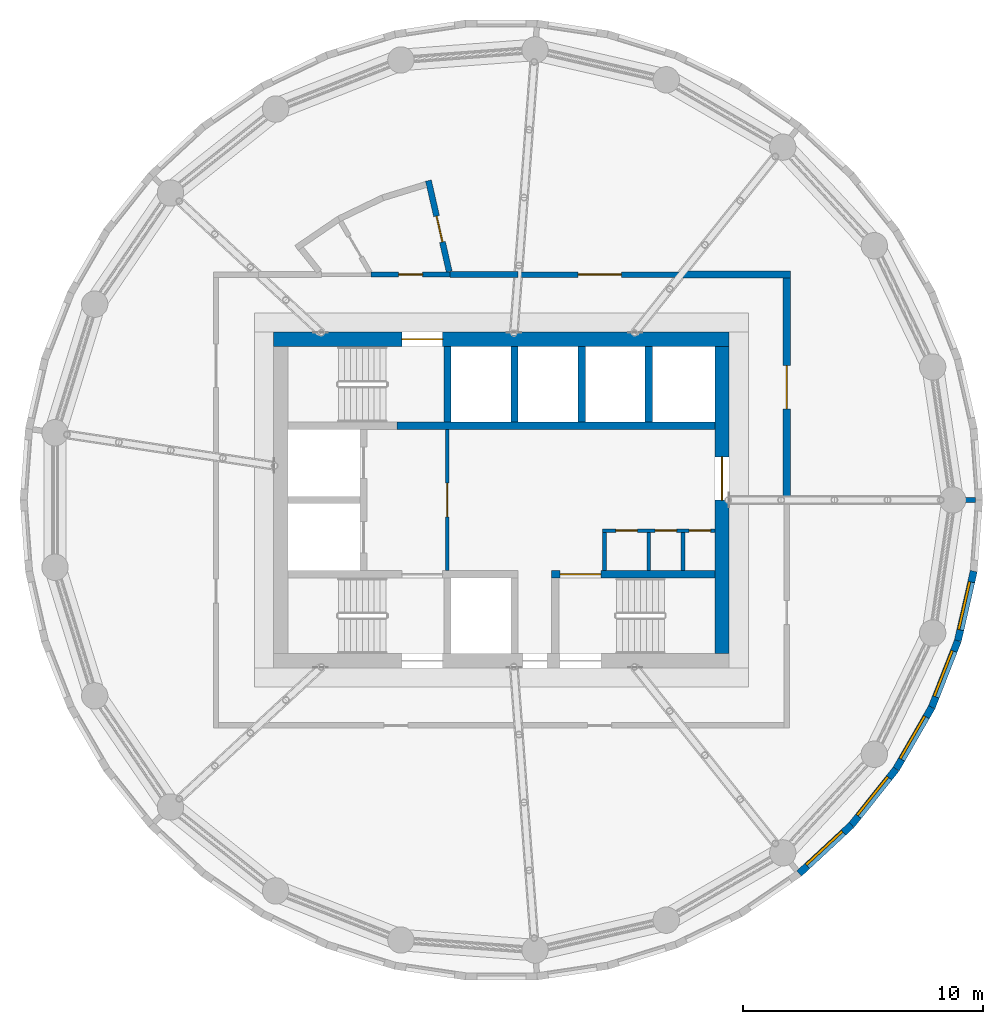
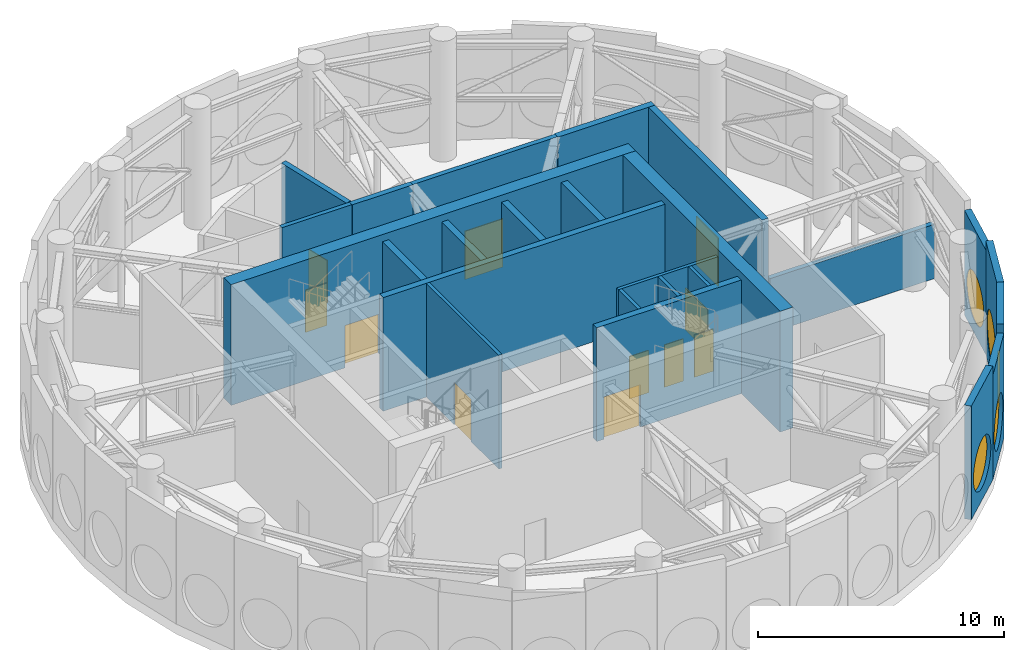
# One storey, part 9 of 13: 25 walls, 11 doors, 5 windows, 16 openings.
"""IFC4 building model written with IfcOpenShell, lengths in metres."""

from ifc_helpers import new_model, si_unit, direction, frame, frame_2d, origin, origin_2d, place, context, subcontext, project, spatial, rectangle, circle, extrude, material, layer, layer_set, type_object, element, fill, save


model = new_model("IFC4")

# Units and contexts
model_context = context("Model", 3, precision=1e-05, world=origin(), true_north=direction((0.0, 1.0)))
body_context = subcontext(model_context, "Body", "Model", "MODEL_VIEW")
ifc_project = project(units=[si_unit("LENGTHUNIT", "METRE"), si_unit("AREAUNIT", "SQUARE_METRE"), si_unit("VOLUMEUNIT", "CUBIC_METRE"), si_unit("PLANEANGLEUNIT", "RADIAN"), si_unit("MASSUNIT", "GRAM", prefix="KILO")], contexts=[model_context])

# Site, building, storey
site_placement = place(None, origin())
site = spatial("IfcSite", under=ifc_project, at=site_placement, CompositionType="ELEMENT")
building_placement = place(site_placement, origin())
building = spatial("IfcBuilding", under=site, at=building_placement, Name="Tracery Tower", CompositionType="ELEMENT")
storey_placement = place(building_placement, frame((0.0, 0.0, 277.800048828125)))
storey = spatial("IfcBuildingStorey", under=building, at=storey_placement, Name="L72 Plant", CompositionType="ELEMENT", Elevation=277.800048828125)

# Wall, opening, door
ifc_material_1 = material(Name="Plasterboard on steel studs", Category="steel")
ifc_layer_1 = layer(ifc_material_1, 0.14990234375)
ifc_layer_set_1 = layer_set([ifc_layer_1], Name="Core lobby partition 150")
wall_type_1 = type_object("IfcWallType", Name="Core lobby partition 150", PredefinedType="SOLIDWALL", material=ifc_layer_set_1)
wall_1_placement = place(storey_placement, frame((-2.25, -2.949951171875, 0.0), z_axis=(0.0, 0.0, 1.0), x_axis=(0.0, 1.0, 0.0)))
wall_1 = element("IfcWall", 1, at=wall_1_placement, inside=storey, type_object=wall_type_1, Name="L72 Plant FF lobby E", PredefinedType="SOLIDWALL", context=body_context, shape_type="SweptSolid", body=[
    extrude(rectangle(XDim=5.89990234375, YDim=0.14990234375, at=frame_2d((2.949951171875, 0.0))), origin(), (0.0, 0.0, 1.0), 5.64990234375),
])
opening_1_placement = place(wall_1_placement, frame((2.25, 0.0, 0.0)))
opening_1 = element("IfcOpeningElement", 2, at=opening_1_placement, cuts=wall_1, Name="Opening KD8", PredefinedType="OPENING", context=body_context, shape_type="SweptSolid", body=[
    extrude(rectangle(XDim=1.39990234375, YDim=2.10009765625, at=frame_2d((0.699951171875, 1.050048828125))), frame((0.0, 0.074951171875, 0.0), z_axis=(0.0, -1.0, 0.0), x_axis=(1.0, 0.0, 0.0)), (0.0, 0.0, 1.0), 0.14990234375),
])
ifc_material_2 = material(Name="Steel fire door", Category="steel")
door_type_1 = type_object("IfcDoorType", Name="Core lobby door 1400 double", OperationType="NOTDEFINED", PredefinedType="DOOR", material=ifc_material_2)
door_1_placement = place(opening_1_placement, origin())
door_1 = element("IfcDoor", 3, at=door_1_placement, inside=storey, type_object=door_type_1, Name="Fire-fighting lobby door", OperationType="DOUBLE_DOOR_SINGLE_SWING", OverallHeight=2.10009765625, OverallWidth=1.39990234375, PredefinedType="DOOR", context=body_context, shape_type="SweptSolid", body=[
    extrude(rectangle(XDim=1.39990234375, YDim=2.10009765625, at=frame_2d((0.699951171875, 1.050048828125))), frame((0.0, 0.02490234375, 0.0), z_axis=(0.0, -1.0, 0.0), x_axis=(1.0, 0.0, 0.0)), (0.0, 0.0, 1.0), 0.050048828125),
])
fill(opening_1, door_1)

# Wall
ifc_material_3 = material(Name="Plasterboard on steel studs", Category="steel")
ifc_layer_2 = layer(ifc_material_3, 0.14990234375)
ifc_layer_set_2 = layer_set([ifc_layer_2], Name="Core room partition 150")
wall_type_2 = type_object("IfcWallType", Name="Core room partition 150", PredefinedType="SOLIDWALL", material=ifc_layer_set_2)
wall_2_placement = place(storey_placement, frame((4.300048828125, -2.949951171875, 0.0), z_axis=(0.0, 0.0, 1.0), x_axis=(0.0, 1.0, 0.0)))
element("IfcWall", 4, at=wall_2_placement, inside=storey, type_object=wall_type_2, Name="L72 Plant slot W", PredefinedType="SOLIDWALL", context=body_context, shape_type="SweptSolid", body=[
    extrude(rectangle(XDim=1.599853515625, YDim=0.14990234375, at=frame_2d((0.7998046875, 0.0))), origin(), (0.0, 0.0, 1.0), 5.64990234375),
])

# Wall, openings, doors
wall_3_placement = place(storey_placement, frame((4.22509765625, -1.27490234375, 0.0), z_axis=(0.0, 0.0, 1.0), x_axis=(1.0, 0.0, 0.0)))
wall_3 = element("IfcWall", 5, at=wall_3_placement, inside=storey, type_object=wall_type_2, Name="L72 Plant slot N", PredefinedType="SOLIDWALL", context=body_context, shape_type="SweptSolid", body=[
    extrude(rectangle(XDim=4.6748046875, YDim=0.14990234375, at=frame_2d((2.33740234375, 0.0))), origin(), (0.0, 0.0, 1.0), 5.64990234375),
])
opening_2_placement = place(wall_3_placement, frame((0.550048828125, 0.0, 0.0)))
opening_2 = element("IfcOpeningElement", 6, at=opening_2_placement, cuts=wall_3, Name="Opening KD37", PredefinedType="OPENING", context=body_context, shape_type="SweptSolid", body=[
    extrude(rectangle(XDim=0.89990234375, YDim=2.10009765625, at=frame_2d((0.449951171875, 1.050048828125))), frame((0.0, 0.074951171875, 0.0), z_axis=(0.0, -1.0, 0.0), x_axis=(1.0, 0.0, 0.0)), (0.0, 0.0, 1.0), 0.14990234375),
])
opening_3_placement = place(wall_3_placement, frame((2.1875, 0.0, 0.0)))
opening_3 = element("IfcOpeningElement", 7, at=opening_3_placement, cuts=wall_3, Name="Opening KD36", PredefinedType="OPENING", context=body_context, shape_type="SweptSolid", body=[
    extrude(rectangle(XDim=0.89990234375, YDim=2.10009765625, at=frame_2d((0.449951171875, 1.050048828125))), frame((0.0, 0.074951171875, 0.0), z_axis=(0.0, -1.0, 0.0), x_axis=(1.0, 0.0, 0.0)), (0.0, 0.0, 1.0), 0.14990234375),
])
opening_4_placement = place(wall_3_placement, frame((3.60009765625, 0.0, 0.0)))
opening_4 = element("IfcOpeningElement", 8, at=opening_4_placement, cuts=wall_3, Name="Opening KD37", PredefinedType="OPENING", context=body_context, shape_type="SweptSolid", body=[
    extrude(rectangle(XDim=0.89990234375, YDim=2.10009765625, at=frame_2d((0.449951171875, 1.050048828125))), frame((0.0, 0.074951171875, 0.0), z_axis=(0.0, -1.0, 0.0), x_axis=(1.0, 0.0, 0.0)), (0.0, 0.0, 1.0), 0.14990234375),
])
ifc_material_4 = material(Name="Steel fire door", Category="steel")
door_type_2 = type_object("IfcDoorType", Name="Core plant door 900", OperationType="NOTDEFINED", PredefinedType="DOOR", material=ifc_material_4)
door_2_placement = place(opening_2_placement, origin())
door_2 = element("IfcDoor", 9, at=door_2_placement, inside=storey, type_object=door_type_2, Name="Core door", OperationType="SINGLE_SWING_RIGHT", OverallHeight=2.10009765625, OverallWidth=0.89990234375, PredefinedType="DOOR", context=body_context, shape_type="SweptSolid", body=[
    extrude(rectangle(XDim=0.89990234375, YDim=2.10009765625, at=frame_2d((0.449951171875, 1.050048828125))), frame((0.0, 0.02490234375, 0.0), z_axis=(0.0, -1.0, 0.0), x_axis=(1.0, 0.0, 0.0)), (0.0, 0.0, 1.0), 0.050048828125),
])
fill(opening_2, door_2)
door_3_placement = place(opening_3_placement, origin())
door_3 = element("IfcDoor", 10, at=door_3_placement, inside=storey, type_object=door_type_2, Name="Core door", OperationType="SINGLE_SWING_LEFT", OverallHeight=2.10009765625, OverallWidth=0.89990234375, PredefinedType="DOOR", context=body_context, shape_type="SweptSolid", body=[
    extrude(rectangle(XDim=0.89990234375, YDim=2.10009765625, at=frame_2d((0.449951171875, 1.050048828125))), frame((0.0, 0.02490234375, 0.0), z_axis=(0.0, -1.0, 0.0), x_axis=(1.0, 0.0, 0.0)), (0.0, 0.0, 1.0), 0.050048828125),
])
fill(opening_3, door_3)
door_4_placement = place(opening_4_placement, origin())
door_4 = element("IfcDoor", 11, at=door_4_placement, inside=storey, type_object=door_type_2, Name="Core door", OperationType="SINGLE_SWING_RIGHT", OverallHeight=2.10009765625, OverallWidth=0.89990234375, PredefinedType="DOOR", context=body_context, shape_type="SweptSolid", body=[
    extrude(rectangle(XDim=0.89990234375, YDim=2.10009765625, at=frame_2d((0.449951171875, 1.050048828125))), frame((0.0, 0.02490234375, 0.0), z_axis=(0.0, -1.0, 0.0), x_axis=(1.0, 0.0, 0.0)), (0.0, 0.0, 1.0), 0.050048828125),
])
fill(opening_4, door_4)

# Walls
for number, where, z_axis, x_axis, name in (
    (12, (6.14990234375, -2.949951171875, 0.0), (0.0, 0.0, 1.0), (0.0, 1.0, 0.0), "L72 Plant slot sep 1"),
    (13, (7.574951171875, -2.949951171875, 0.0), (0.0, 0.0, 1.0), (0.0, 1.0, 0.0), "L72 Plant slot sep 2"),
):
    element("IfcWall", number, at=place(storey_placement, frame(where, z_axis=z_axis, x_axis=x_axis)), inside=storey, type_object=wall_type_2, Name=name, PredefinedType="SOLIDWALL", context=body_context, shape_type="SweptSolid", body=[
        extrude(rectangle(XDim=1.599853515625, YDim=0.14990234375, at=frame_2d((0.7998046875, 0.0))), origin(), (0.0, 0.0, 1.0), 5.64990234375),
    ])

# Wall, opening, door
ifc_material_5 = material(Name="Concrete C40/50", Category="concrete")
ifc_layer_3 = layer(ifc_material_5, 0.60009765625)
ifc_layer_set_3 = layer_set([ifc_layer_3], Name="Core wall 600 C40")
wall_type_3 = type_object("IfcWallType", Name="Core wall 600 C40", PredefinedType="SOLIDWALL", material=ifc_layer_set_3)
wall_4_placement = place(storey_placement, frame((-9.5, 6.699951171875, 0.0), z_axis=(0.0, 0.0, 1.0), x_axis=(1.0, 0.0, 0.0)))
wall_4 = element("IfcWall", 14, at=wall_4_placement, inside=storey, type_object=wall_type_3, Name="L72 Plant outer N", PredefinedType="SOLIDWALL", context=body_context, shape_type="SweptSolid", body=[
    extrude(rectangle(XDim=19.0, YDim=0.60009765625, at=frame_2d((9.5, 0.0))), origin(), (0.0, 0.0, 1.0), 6.0),
])
opening_5_placement = place(wall_4_placement, frame((5.35009765625, 0.0, 0.0)))
opening_5 = element("IfcOpeningElement", 15, at=opening_5_placement, cuts=wall_4, Name="Opening KD3", PredefinedType="OPENING", context=body_context, shape_type="SweptSolid", body=[
    extrude(rectangle(XDim=1.699951171875, YDim=2.10009765625, at=frame_2d((0.85009765625, 1.050048828125))), frame((0.0, 0.300048828125, 0.0), z_axis=(0.0, -1.0, 0.0), x_axis=(1.0, 0.0, 0.0)), (0.0, 0.0, 1.0), 0.60009765625),
])
ifc_material_6 = material(Name="Steel fire door", Category="steel")
door_type_3 = type_object("IfcDoorType", Name="Core stair door 1700 double", OperationType="NOTDEFINED", PredefinedType="DOOR", material=ifc_material_6)
door_5_placement = place(opening_5_placement, origin())
door_5 = element("IfcDoor", 16, at=door_5_placement, inside=storey, type_object=door_type_3, Name="Stair door ST3 exit", OperationType="DOUBLE_DOOR_SINGLE_SWING", OverallHeight=2.10009765625, OverallWidth=1.699951171875, PredefinedType="DOOR", context=body_context, shape_type="SweptSolid", body=[
    extrude(rectangle(XDim=1.699951171875, YDim=2.10009765625, at=frame_2d((0.85009765625, 1.050048828125))), frame((0.0, 0.02490234375, 0.0), z_axis=(0.0, -1.0, 0.0), x_axis=(1.0, 0.0, 0.0)), (0.0, 0.0, 1.0), 0.050048828125),
])
fill(opening_5, door_5)

wall_5_placement = place(storey_placement, frame((9.199951171875, -6.39990234375, 0.0), z_axis=(0.0, 0.0, 1.0), x_axis=(0.0, 1.0, 0.0)))
wall_5 = element("IfcWall", 17, at=wall_5_placement, inside=storey, type_object=wall_type_3, Name="L72 Plant outer E", PredefinedType="SOLIDWALL", context=body_context, shape_type="SweptSolid", body=[
    extrude(rectangle(XDim=12.7998046875, YDim=0.60009765625, at=frame_2d((6.39990234375, 0.0))), origin(), (0.0, 0.0, 1.0), 6.0),
])
opening_6_placement = place(wall_5_placement, frame((6.39990234375, 0.0, 0.0)))
opening_6 = element("IfcOpeningElement", 18, at=opening_6_placement, cuts=wall_5, Name="Opening KD13", PredefinedType="OPENING", context=body_context, shape_type="SweptSolid", body=[
    extrude(rectangle(XDim=1.800048828125, YDim=2.10009765625, at=frame_2d((0.89990234375, 1.050048828125))), frame((0.0, 0.300048828125, 0.0), z_axis=(0.0, -1.0, 0.0), x_axis=(1.0, 0.0, 0.0)), (0.0, 0.0, 1.0), 0.60009765625),
])
ifc_material_7 = material(Name="Steel fire door", Category="steel")
door_type_4 = type_object("IfcDoorType", Name="Core exit door 1800 double", OperationType="NOTDEFINED", PredefinedType="DOOR", material=ifc_material_7)
door_6_placement = place(opening_6_placement, origin())
door_6 = element("IfcDoor", 19, at=door_6_placement, inside=storey, type_object=door_type_4, Name="Core exit door", OperationType="DOUBLE_DOOR_SINGLE_SWING", OverallHeight=2.10009765625, OverallWidth=1.800048828125, PredefinedType="DOOR", context=body_context, shape_type="SweptSolid", body=[
    extrude(rectangle(XDim=1.800048828125, YDim=2.10009765625, at=frame_2d((0.89990234375, 1.050048828125))), frame((0.0, 0.02490234375, 0.0), z_axis=(0.0, -1.0, 0.0), x_axis=(1.0, 0.0, 0.0)), (0.0, 0.0, 1.0), 0.050048828125),
])
fill(opening_6, door_6)

ifc_material_8 = material(Name="Concrete blockwork", Category="masonry")
ifc_layer_4 = layer(ifc_material_8, 0.199951171875)
ifc_layer_set_4 = layer_set([ifc_layer_4], Name="Fire lobby wall 200")
wall_type_4 = type_object("IfcWallType", Name="Fire lobby wall 200", PredefinedType="PARTITIONING", material=ifc_layer_set_4)
wall_6_placement = place(storey_placement, frame((-2.1455078125, 9.39990234375, 0.0), z_axis=(0.0, 0.0, 1.0), x_axis=(-1.0, 0.0, 0.0)))
wall_6 = element("IfcWall", 20, at=wall_6_placement, inside=storey, type_object=wall_type_4, Name="Fire lobby wall 200", PredefinedType="PARTITIONING", context=body_context, shape_type="SweptSolid", body=[
    extrude(rectangle(XDim=3.281494140625, YDim=0.199951171875, at=frame_2d((1.640625, 0.0))), origin(), (0.0, 0.0, 1.0), 5.64990234375),
])
opening_7_placement = place(wall_6_placement, frame((1.140869140625, 0.0, 0.0)))
opening_7 = element("IfcOpeningElement", 21, at=opening_7_placement, cuts=wall_6, Name="Opening SB-P72-08", PredefinedType="OPENING", context=body_context, shape_type="SweptSolid", body=[
    extrude(rectangle(XDim=1.0, YDim=2.10009765625, at=frame_2d((0.5, 1.050048828125))), frame((0.0, 0.10009765625, 0.0), z_axis=(0.0, -1.0, 0.0), x_axis=(1.0, 0.0, 0.0)), (0.0, 0.0, 1.0), 0.199951171875),
])
ifc_material_9 = material(Name="Steel fire door", Category="steel")
door_type_5 = type_object("IfcDoorType", Name="Fire lobby door 1000", OperationType="NOTDEFINED", PredefinedType="DOOR", material=ifc_material_9)
door_7_placement = place(opening_7_placement, origin())
door_7 = element("IfcDoor", 22, at=door_7_placement, inside=storey, type_object=door_type_5, Name="Fire lobby door 1000", OperationType="SINGLE_SWING_LEFT", OverallHeight=2.10009765625, OverallWidth=1.0, PredefinedType="DOOR", context=body_context, shape_type="SweptSolid", body=[
    extrude(rectangle(XDim=1.0, YDim=2.10009765625, at=frame_2d((0.5, 1.050048828125))), frame((0.0, 0.02490234375, 0.0), z_axis=(0.0, -1.0, 0.0), x_axis=(1.0, 0.0, 0.0)), (0.0, 0.0, 1.0), 0.050048828125),
])
fill(opening_7, door_7)

# Wall, opening, window
ifc_material_10 = material(Name="Precast concrete C50/60", Category="concrete")
ifc_layer_5 = layer(ifc_material_10, 0.300048828125)
ifc_layer_set_5 = layer_set([ifc_layer_5], Name="Plant louvre panel 3000 x 5200")
wall_type_5 = type_object("IfcWallType", Name="Plant louvre panel 3000 x 5200", PredefinedType="SOLIDWALL", material=ifc_layer_set_5)
wall_7_placement = place(storey_placement, frame((14.603759765625, -13.55029296875, 0.0), z_axis=(0.0, 0.0, 1.0), x_axis=(0.623494374707, 0.781827835722, 0.0)))
wall_7 = element("IfcWall", 23, at=wall_7_placement, inside=storey, type_object=wall_type_5, Name="Plant louvre panel 38 at L72 Plant", PredefinedType="SOLIDWALL", context=body_context, shape_type="SweptSolid", body=[
    extrude(rectangle(XDim=2.9775390625, YDim=0.300048828125, at=frame_2d((1.48876953125, 0.0))), origin(), (0.0, 0.0, 1.0), 5.199951171875),
])
opening_8_placement = place(wall_7_placement, frame((1.48876953125, 0.0, 1.824951171875)))
opening_8 = element("IfcOpeningElement", 24, at=opening_8_placement, cuts=wall_7, Name="Opening LV2", PredefinedType="OPENING", context=body_context, shape_type="SweptSolid", body=[
    extrude(circle(Radius=1.199951171875, at=origin_2d()), frame((0.0, 0.159912109375, 0.0), z_axis=(0.0, -1.0, 0.0), x_axis=(1.0, 0.0, 0.0)), (0.0, 0.0, 1.0), 0.320068359375),
])
ifc_material_11 = material(Name="Aluminium louvre, bronze anodised", Category="aluminium")
window_type = type_object("IfcWindowType", Name="Louvred oculus 2400, sill 625", PartitioningType="SINGLE_PANEL", PredefinedType="WINDOW", material=ifc_material_11)
window_1_placement = place(opening_8_placement, origin())
window_1 = element("IfcWindow", 25, at=window_1_placement, inside=storey, type_object=window_type, Name="Louvred oculus 38 at L72 Plant", OverallHeight=2.39990234375, OverallWidth=2.39990234375, PartitioningType="SINGLE_PANEL", PredefinedType="WINDOW", context=body_context, shape_type="SweptSolid", body=[
    extrude(circle(Radius=1.199951171875, at=origin_2d()), frame((0.0, 0.1201171875, 0.0), z_axis=(0.0, -1.0, 0.0), x_axis=(1.0, 0.0, 0.0)), (0.0, 0.0, 1.0), 0.10009765625),
])
fill(opening_8, window_1)

wall_8_placement = place(storey_placement, frame((19.03662109375, -5.8720703125, 0.0), z_axis=(0.0, 0.0, 1.0), x_axis=(0.222535358937, 0.974924619662, 0.0)))
wall_8 = element("IfcWall", 26, at=wall_8_placement, inside=storey, type_object=wall_type_5, Name="Plant louvre panel 41 at L72 Plant", PredefinedType="SOLIDWALL", context=body_context, shape_type="SweptSolid", body=[
    extrude(rectangle(XDim=2.9775390625, YDim=0.300048828125, at=frame_2d((1.48876953125, 0.0))), origin(), (0.0, 0.0, 1.0), 5.199951171875),
])
opening_9_placement = place(wall_8_placement, frame((1.48876953125, 0.0, 1.824951171875)))
opening_9 = element("IfcOpeningElement", 27, at=opening_9_placement, cuts=wall_8, Name="Opening LV2", PredefinedType="OPENING", context=body_context, shape_type="SweptSolid", body=[
    extrude(circle(Radius=1.199951171875, at=origin_2d()), frame((0.0, 0.159912109375, 0.0), z_axis=(0.0, -1.0, 0.0), x_axis=(1.0, 0.0, 0.0)), (0.0, 0.0, 1.0), 0.320068359375),
])
window_2_placement = place(opening_9_placement, origin())
window_2 = element("IfcWindow", 28, at=window_2_placement, inside=storey, type_object=window_type, Name="Louvred oculus 41 at L72 Plant", OverallHeight=2.39990234375, OverallWidth=2.39990234375, PartitioningType="SINGLE_PANEL", PredefinedType="WINDOW", context=body_context, shape_type="SweptSolid", body=[
    extrude(circle(Radius=1.199951171875, at=origin_2d()), frame((0.0, 0.1201171875, 0.0), z_axis=(0.0, -1.0, 0.0), x_axis=(1.0, 0.0, 0.0)), (0.0, 0.0, 1.0), 0.10009765625),
])
fill(opening_9, window_2)

ifc_material_12 = material(Name="Precast concrete C50/60", Category="concrete")
ifc_layer_6 = layer(ifc_material_12, 0.300048828125)
ifc_layer_set_6 = layer_set([ifc_layer_6], Name="Plant louvre panel 3000 x 5650")
wall_type_6 = type_object("IfcWallType", Name="Plant louvre panel 3000 x 5650", PredefinedType="SOLIDWALL", material=ifc_layer_set_6)
wall_9_placement = place(storey_placement, frame((12.421142578125, -15.575439453125, 0.0), z_axis=(0.0, 0.0, 1.0), x_axis=(0.733056277766, 0.68016798927, 0.0)))
wall_9 = element("IfcWall", 29, at=wall_9_placement, inside=storey, type_object=wall_type_6, Name="Plant louvre panel 37 at L72 Plant", PredefinedType="SOLIDWALL", context=body_context, shape_type="SweptSolid", body=[
    extrude(rectangle(XDim=2.9775390625, YDim=0.300048828125, at=frame_2d((1.48876953125, 0.0))), origin(), (0.0, 0.0, 1.0), 5.64990234375),
])
opening_10_placement = place(wall_9_placement, frame((1.48876953125, 0.0, 1.824951171875)))
opening_10 = element("IfcOpeningElement", 30, at=opening_10_placement, cuts=wall_9, Name="Opening LV2", PredefinedType="OPENING", context=body_context, shape_type="SweptSolid", body=[
    extrude(circle(Radius=1.199951171875, at=origin_2d()), frame((0.0, 0.159912109375, 0.0), z_axis=(0.0, -1.0, 0.0), x_axis=(1.0, 0.0, 0.0)), (0.0, 0.0, 1.0), 0.320068359375),
])
window_3_placement = place(opening_10_placement, origin())
window_3 = element("IfcWindow", 31, at=window_3_placement, inside=storey, type_object=window_type, Name="Louvred oculus 37 at L72 Plant", OverallHeight=2.39990234375, OverallWidth=2.39990234375, PartitioningType="SINGLE_PANEL", PredefinedType="WINDOW", context=body_context, shape_type="SweptSolid", body=[
    extrude(circle(Radius=1.199951171875, at=origin_2d()), frame((0.0, 0.1201171875, 0.0), z_axis=(0.0, -1.0, 0.0), x_axis=(1.0, 0.0, 0.0)), (0.0, 0.0, 1.0), 0.10009765625),
])
fill(opening_10, window_3)

wall_10_placement = place(storey_placement, frame((16.460205078125, -11.222412109375, 0.0), z_axis=(0.0, 0.0, 1.0), x_axis=(0.500001626982, 0.866024464444, 0.0)))
wall_10 = element("IfcWall", 32, at=wall_10_placement, inside=storey, type_object=wall_type_6, Name="Plant louvre panel 39 at L72 Plant", PredefinedType="SOLIDWALL", context=body_context, shape_type="SweptSolid", body=[
    extrude(rectangle(XDim=2.9775390625, YDim=0.300048828125, at=frame_2d((1.48876953125, 0.0))), origin(), (0.0, 0.0, 1.0), 5.64990234375),
])
opening_11_placement = place(wall_10_placement, frame((1.48876953125, 0.0, 1.824951171875)))
opening_11 = element("IfcOpeningElement", 33, at=opening_11_placement, cuts=wall_10, Name="Opening LV2", PredefinedType="OPENING", context=body_context, shape_type="SweptSolid", body=[
    extrude(circle(Radius=1.199951171875, at=origin_2d()), frame((0.0, 0.159912109375, 0.0), z_axis=(0.0, -1.0, 0.0), x_axis=(1.0, 0.0, 0.0)), (0.0, 0.0, 1.0), 0.320068359375),
])
window_4_placement = place(opening_11_placement, origin())
window_4 = element("IfcWindow", 34, at=window_4_placement, inside=storey, type_object=window_type, Name="Louvred oculus 39 at L72 Plant", OverallHeight=2.39990234375, OverallWidth=2.39990234375, PartitioningType="SINGLE_PANEL", PredefinedType="WINDOW", context=body_context, shape_type="SweptSolid", body=[
    extrude(circle(Radius=1.199951171875, at=origin_2d()), frame((0.0, 0.1201171875, 0.0), z_axis=(0.0, -1.0, 0.0), x_axis=(1.0, 0.0, 0.0)), (0.0, 0.0, 1.0), 0.10009765625),
])
fill(opening_11, window_4)

wall_11_placement = place(storey_placement, frame((17.948974609375, -8.643798828125, 0.0), z_axis=(0.0, 0.0, 1.0), x_axis=(0.365289571566, 0.930893940739, 0.0)))
wall_11 = element("IfcWall", 35, at=wall_11_placement, inside=storey, type_object=wall_type_6, Name="Plant louvre panel 40 at L72 Plant", PredefinedType="SOLIDWALL", context=body_context, shape_type="SweptSolid", body=[
    extrude(rectangle(XDim=2.9775390625, YDim=0.300048828125, at=frame_2d((1.48876953125, 0.0))), origin(), (0.0, 0.0, 1.0), 5.64990234375),
])
opening_12_placement = place(wall_11_placement, frame((1.48876953125, 0.0, 1.824951171875)))
opening_12 = element("IfcOpeningElement", 36, at=opening_12_placement, cuts=wall_11, Name="Opening LV2", PredefinedType="OPENING", context=body_context, shape_type="SweptSolid", body=[
    extrude(circle(Radius=1.199951171875, at=origin_2d()), frame((0.0, 0.159912109375, 0.0), z_axis=(0.0, -1.0, 0.0), x_axis=(1.0, 0.0, 0.0)), (0.0, 0.0, 1.0), 0.320068359375),
])
window_5_placement = place(opening_12_placement, origin())
window_5 = element("IfcWindow", 37, at=window_5_placement, inside=storey, type_object=window_type, Name="Louvred oculus 40 at L72 Plant", OverallHeight=2.39990234375, OverallWidth=2.39990234375, PartitioningType="SINGLE_PANEL", PredefinedType="WINDOW", context=body_context, shape_type="SweptSolid", body=[
    extrude(circle(Radius=1.199951171875, at=origin_2d()), frame((0.0, 0.1201171875, 0.0), z_axis=(0.0, -1.0, 0.0), x_axis=(1.0, 0.0, 0.0)), (0.0, 0.0, 1.0), 0.10009765625),
])
fill(opening_12, window_5)

# Wall, opening, door
ifc_material_13 = material(Name="Concrete blockwork", Category="masonry")
ifc_layer_7 = layer(ifc_material_13, 0.22509765625)
ifc_layer_set_7 = layer_set([ifc_layer_7], Name="Plant room block wall 225")
wall_type_7 = type_object("IfcWallType", Name="Plant room block wall 225", PredefinedType="PARTITIONING", material=ifc_layer_set_7)
wall_12_placement = place(storey_placement, frame((7.49609375, 9.39990234375, 0.0), z_axis=(0.0, 0.0, 1.0), x_axis=(-1.0, 0.0, 0.0)))
wall_12 = element("IfcWall", 38, at=wall_12_placement, inside=storey, type_object=wall_type_7, Name="Plant room block wall 225", PredefinedType="PARTITIONING", context=body_context, shape_type="SweptSolid", body=[
    extrude(rectangle(XDim=6.791748046875, YDim=0.22509765625, at=frame_2d((3.39599609375, 0.0))), origin(), (0.0, 0.0, 1.0), 5.64990234375),
])
opening_13_placement = place(wall_12_placement, frame((2.495849609375, 0.0, 0.0)))
opening_13 = element("IfcOpeningElement", 39, at=opening_13_placement, cuts=wall_12, Name="Opening SB-P72-02", PredefinedType="OPENING", context=body_context, shape_type="SweptSolid", body=[
    extrude(rectangle(XDim=1.800048828125, YDim=2.39990234375, at=frame_2d((0.89990234375, 1.199951171875))), frame((0.0, 0.112548828125, 0.0), z_axis=(0.0, -1.0, 0.0), x_axis=(1.0, 0.0, 0.0)), (0.0, 0.0, 1.0), 0.22509765625),
])
ifc_material_14 = material(Name="Steel fire door", Category="steel")
door_type_6 = type_object("IfcDoorType", Name="Plant room double door 1800", OperationType="DOUBLE_DOOR_SINGLE_SWING", PredefinedType="DOOR", material=ifc_material_14)
door_8_placement = place(opening_13_placement, origin())
door_8 = element("IfcDoor", 40, at=door_8_placement, inside=storey, type_object=door_type_6, Name="Plant room double door 1800", OperationType="DOUBLE_DOOR_SINGLE_SWING", OverallHeight=2.39990234375, OverallWidth=1.800048828125, PredefinedType="DOOR", context=body_context, shape_type="SweptSolid", body=[
    extrude(rectangle(XDim=1.800048828125, YDim=2.39990234375, at=frame_2d((0.89990234375, 1.199951171875))), frame((0.0, 0.02490234375, 0.0), z_axis=(0.0, -1.0, 0.0), x_axis=(1.0, 0.0, 0.0)), (0.0, 0.0, 1.0), 0.050048828125),
])
fill(opening_13, door_8)

# Wall
ifc_material_15 = material(Name="Concrete blockwork", Category="masonry")
ifc_layer_8 = layer(ifc_material_15, 0.22509765625)
ifc_layer_set_8 = layer_set([ifc_layer_8], Name="Plant wall under outrigger truss 225")
wall_type_8 = type_object("IfcWallType", Name="Plant wall under outrigger truss 225", PredefinedType="PARTITIONING", material=ifc_layer_set_8)
wall_13_placement = place(storey_placement, frame((19.771484375, 0.0, 0.0), z_axis=(0.0, 0.0, 1.0), x_axis=(-1.0, 0.0, 0.0)))
element("IfcWall", 41, at=wall_13_placement, inside=storey, type_object=wall_type_8, Name="Plant wall under outrigger truss 225", PredefinedType="PARTITIONING", context=body_context, shape_type="SweptSolid", body=[
    extrude(rectangle(XDim=7.721435546875, YDim=0.22509765625, at=frame_2d((3.86083984375, 0.0))), origin(), (0.0, 0.0, 1.0), 2.699951171875),
])

# Wall, opening, door
ifc_material_16 = material(Name="Concrete blockwork", Category="masonry")
ifc_layer_9 = layer(ifc_material_16, 0.25)
ifc_layer_set_9 = layer_set([ifc_layer_9], Name="Refuge block wall 250")
wall_type_9 = type_object("IfcWallType", Name="Refuge block wall 250", PredefinedType="PARTITIONING", material=ifc_layer_set_9)
wall_14_placement = place(storey_placement, frame((-3.039794921875, 13.318359375, 0.0), z_axis=(0.0, 0.0, 1.0), x_axis=(0.222494269296, -0.974933997833, 0.0)))
wall_14 = element("IfcWall", 42, at=wall_14_placement, inside=storey, type_object=wall_type_9, Name="Refuge block wall 250", PredefinedType="PARTITIONING", context=body_context, shape_type="SweptSolid", body=[
    extrude(rectangle(XDim=3.890869140625, YDim=0.25, at=frame_2d((1.9453125, 0.0))), origin(), (0.0, 0.0, 1.0), 5.64990234375),
])
opening_14_placement = place(wall_14_placement, frame((1.522216796875, 0.0, 0.0)))
opening_14 = element("IfcOpeningElement", 43, at=opening_14_placement, cuts=wall_14, Name="Opening SB-P72-09", PredefinedType="OPENING", context=body_context, shape_type="SweptSolid", body=[
    extrude(rectangle(XDim=1.10009765625, YDim=2.10009765625, at=frame_2d((0.550048828125, 1.050048828125))), frame((0.0, 0.125, 0.0), z_axis=(0.0, -1.0, 0.0), x_axis=(1.0, 0.0, 0.0)), (0.0, 0.0, 1.0), 0.25),
])
ifc_material_17 = material(Name="Steel fire door", Category="steel")
door_type_7 = type_object("IfcDoorType", Name="Refuge door 1100", OperationType="NOTDEFINED", PredefinedType="DOOR", material=ifc_material_17)
door_9_placement = place(opening_14_placement, origin())
door_9 = element("IfcDoor", 44, at=door_9_placement, inside=storey, type_object=door_type_7, Name="Refuge door 1100", OperationType="SINGLE_SWING_LEFT", OverallHeight=2.10009765625, OverallWidth=1.10009765625, PredefinedType="DOOR", context=body_context, shape_type="SweptSolid", body=[
    extrude(rectangle(XDim=1.10009765625, YDim=2.10009765625, at=frame_2d((0.550048828125, 1.050048828125))), frame((0.0, 0.02490234375, 0.0), z_axis=(0.0, -1.0, 0.0), x_axis=(1.0, 0.0, 0.0)), (0.0, 0.0, 1.0), 0.050048828125),
])
fill(opening_14, door_9)

# Walls
wall_15_placement = place(storey_placement, frame((0.704345703125, 9.39990234375, 0.0), z_axis=(0.0, 0.0, 1.0), x_axis=(-1.0, 0.0, 0.0)))
element("IfcWall", 45, at=wall_15_placement, inside=storey, type_object=wall_type_9, Name="Refuge block wall 250", PredefinedType="PARTITIONING", context=body_context, shape_type="SweptSolid", body=[
    extrude(rectangle(XDim=2.849853515625, YDim=0.25, at=frame_2d((1.4248046875, 0.0))), origin(), (0.0, 0.0, 1.0), 5.64990234375),
])
ifc_material_18 = material(Name="Concrete C40/50", Category="concrete")
ifc_layer_10 = layer(ifc_material_18, 0.300048828125)
ifc_layer_set_10 = layer_set([ifc_layer_10], Name="Shaft wall 300 C40")
wall_type_10 = type_object("IfcWallType", Name="Shaft wall 300 C40", PredefinedType="SOLIDWALL", material=ifc_layer_set_10)
for number, where, z_axis, x_axis, name in (
    (46, (0.550048828125, 3.25, 0.0), (0.0, 0.0, 1.0), (0.0, 1.0, 0.0), "L72 Plant HR sep 1"),
    (47, (3.35009765625, 3.25, 0.0), (0.0, 0.0, 1.0), (0.0, 1.0, 0.0), "L72 Plant HR sep 2"),
    (48, (6.14990234375, 3.25, 0.0), (0.0, 0.0, 1.0), (0.0, 1.0, 0.0), "L72 Plant HR sep 3"),
):
    element("IfcWall", number, at=place(storey_placement, frame(where, z_axis=z_axis, x_axis=x_axis)), inside=storey, type_object=wall_type_10, Name=name, PredefinedType="SOLIDWALL", context=body_context, shape_type="SweptSolid", body=[
        extrude(rectangle(XDim=3.14990234375, YDim=0.300048828125, at=frame_2d((1.574951171875, 0.0))), origin(), (0.0, 0.0, 1.0), 5.64990234375),
    ])

# Wall, opening, door
ifc_material_19 = material(Name="Concrete C40/50", Category="concrete")
ifc_layer_11 = layer(ifc_material_19, 0.300048828125)
ifc_layer_set_11 = layer_set([ifc_layer_11], Name="Stair wall 300 C40")
wall_type_11 = type_object("IfcWallType", Name="Stair wall 300 C40", PredefinedType="SOLIDWALL", material=ifc_layer_set_11)
wall_16_placement = place(storey_placement, frame((2.10009765625, -3.10009765625, 0.0), z_axis=(0.0, 0.0, 1.0), x_axis=(1.0, 0.0, 0.0)))
wall_16 = element("IfcWall", 49, at=wall_16_placement, inside=storey, type_object=wall_type_11, Name="L72 Plant row S E", PredefinedType="SOLIDWALL", context=body_context, shape_type="SweptSolid", body=[
    extrude(rectangle(XDim=6.7998046875, YDim=0.300048828125, at=frame_2d((3.39990234375, 0.0))), origin(), (0.0, 0.0, 1.0), 5.64990234375),
])
opening_15_placement = place(wall_16_placement, frame((0.35009765625, 0.0, 0.0)))
opening_15 = element("IfcOpeningElement", 50, at=opening_15_placement, cuts=wall_16, Name="Opening KD3", PredefinedType="OPENING", context=body_context, shape_type="SweptSolid", body=[
    extrude(rectangle(XDim=1.699951171875, YDim=2.10009765625, at=frame_2d((0.85009765625, 1.050048828125))), frame((0.0, 0.14990234375, 0.0), z_axis=(0.0, -1.0, 0.0), x_axis=(1.0, 0.0, 0.0)), (0.0, 0.0, 1.0), 0.300048828125),
])
door_10_placement = place(opening_15_placement, origin())
door_10 = element("IfcDoor", 51, at=door_10_placement, inside=storey, type_object=door_type_3, Name="Stair door ST2", OperationType="DOUBLE_DOOR_SINGLE_SWING", OverallHeight=2.10009765625, OverallWidth=1.699951171875, PredefinedType="DOOR", context=body_context, shape_type="SweptSolid", body=[
    extrude(rectangle(XDim=1.699951171875, YDim=2.10009765625, at=frame_2d((0.85009765625, 1.050048828125))), frame((0.0, 0.02490234375, 0.0), z_axis=(0.0, -1.0, 0.0), x_axis=(1.0, 0.0, 0.0)), (0.0, 0.0, 1.0), 0.050048828125),
])
fill(opening_15, door_10)

# Walls
wall_17_placement = place(storey_placement, frame((-4.35009765625, 3.10009765625, 0.0), z_axis=(0.0, 0.0, 1.0), x_axis=(1.0, 0.0, 0.0)))
element("IfcWall", 52, at=wall_17_placement, inside=storey, type_object=wall_type_11, Name="L72 Plant row N", PredefinedType="SOLIDWALL", context=body_context, shape_type="SweptSolid", body=[
    extrude(rectangle(XDim=13.25, YDim=0.300048828125, at=frame_2d((6.625, 0.0))), origin(), (0.0, 0.0, 1.0), 5.64990234375),
])
wall_18_placement = place(storey_placement, frame((-2.25, 3.25, 0.0), z_axis=(0.0, 0.0, 1.0), x_axis=(0.0, 1.0, 0.0)))
element("IfcWall", 53, at=wall_18_placement, inside=storey, type_object=wall_type_11, Name="L72 Plant ST3 E", PredefinedType="SOLIDWALL", context=body_context, shape_type="SweptSolid", body=[
    extrude(rectangle(XDim=3.14990234375, YDim=0.300048828125, at=frame_2d((1.574951171875, 0.0))), origin(), (0.0, 0.0, 1.0), 5.64990234375),
])

# Wall, opening, door
ifc_material_20 = material(Name="Concrete blockwork", Category="masonry")
ifc_layer_12 = layer(ifc_material_20, 0.300048828125)
ifc_layer_set_12 = layer_set([ifc_layer_12], Name="Transformer room block wall 300")
wall_type_12 = type_object("IfcWallType", Name="Transformer room block wall 300", PredefinedType="PARTITIONING", material=ifc_layer_set_12)
wall_19_placement = place(storey_placement, frame((11.89990234375, 0.0, 0.0), z_axis=(0.0, 0.0, 1.0), x_axis=(0.0, 1.0, 0.0)))
wall_19 = element("IfcWall", 54, at=wall_19_placement, inside=storey, type_object=wall_type_12, Name="Transformer room block wall 300", PredefinedType="PARTITIONING", context=body_context, shape_type="SweptSolid", body=[
    extrude(rectangle(XDim=9.25, YDim=0.300048828125, at=frame_2d((4.625, 0.0))), origin(), (0.0, 0.0, 1.0), 5.64990234375),
])
opening_16_placement = place(wall_19_placement, frame((3.800048828125, 0.0, 0.0)))
opening_16 = element("IfcOpeningElement", 55, at=opening_16_placement, cuts=wall_19, Name="Opening SB-P72-01", PredefinedType="OPENING", context=body_context, shape_type="SweptSolid", body=[
    extrude(rectangle(XDim=1.800048828125, YDim=2.39990234375, at=frame_2d((0.89990234375, 1.199951171875))), frame((0.0, 0.14990234375, 0.0), z_axis=(0.0, -1.0, 0.0), x_axis=(1.0, 0.0, 0.0)), (0.0, 0.0, 1.0), 0.300048828125),
])
door_11_placement = place(opening_16_placement, origin())
door_11 = element("IfcDoor", 56, at=door_11_placement, inside=storey, type_object=door_type_6, Name="Plant room double door 1800", OperationType="DOUBLE_DOOR_SINGLE_SWING", OverallHeight=2.39990234375, OverallWidth=1.800048828125, PredefinedType="DOOR", context=body_context, shape_type="SweptSolid", body=[
    extrude(rectangle(XDim=1.800048828125, YDim=2.39990234375, at=frame_2d((0.89990234375, 1.199951171875))), frame((0.0, 0.02490234375, 0.0), z_axis=(0.0, -1.0, 0.0), x_axis=(1.0, 0.0, 0.0)), (0.0, 0.0, 1.0), 0.050048828125),
])
fill(opening_16, door_11)

# Wall
wall_20_placement = place(storey_placement, frame((12.050048828125, 9.39990234375, 0.0), z_axis=(0.0, 0.0, 1.0), x_axis=(-1.0, 0.0, 0.0)))
element("IfcWall", 57, at=wall_20_placement, inside=storey, type_object=wall_type_12, Name="Transformer room block wall 300", PredefinedType="PARTITIONING", context=body_context, shape_type="SweptSolid", body=[
    extrude(rectangle(XDim=4.553955078125, YDim=0.300048828125, at=frame_2d((2.27685546875, 0.0))), origin(), (0.0, 0.0, 1.0), 5.64990234375),
])

save(model, "model.ifc")
